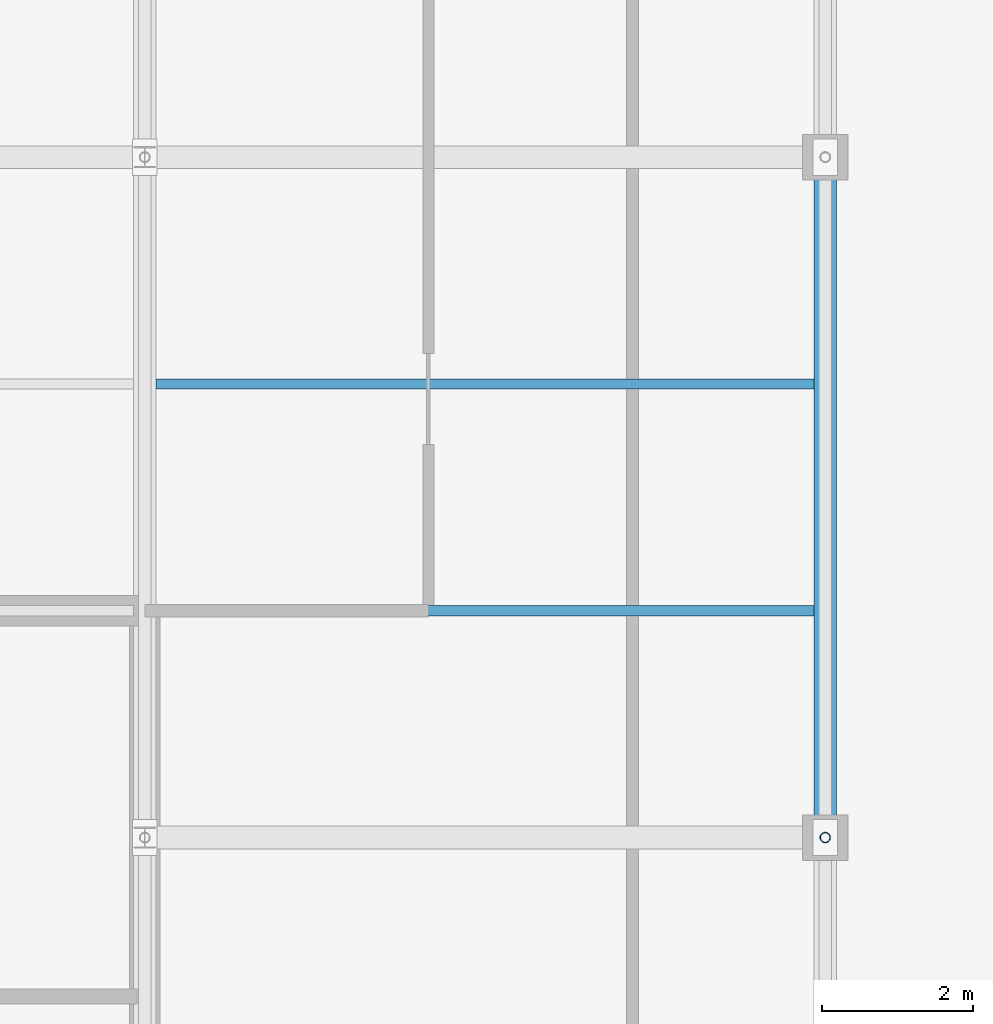
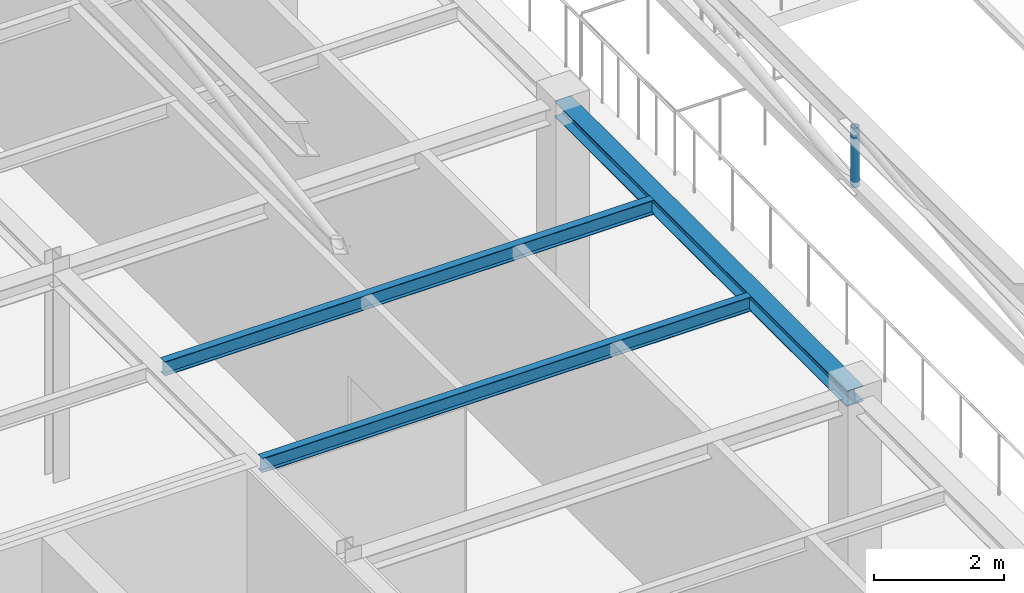
# One storey, part 67 of 130: 3 beams, 1 member.
"""IFC4 building model written with IfcOpenShell, lengths in metres."""

from ifc_helpers import new_model, si_unit, direction, frame, origin, origin_2d, place, context, subcontext, project, spatial, hollow_circle, i_section, extrude, material, material_profile, profile_set, type_object, element, save


model = new_model("IFC4")

# Units and contexts
model_context = context("Model", 3, precision=1e-05, world=origin(), true_north=direction((0.0, 1.0)))
body_context = subcontext(model_context, "Body", "Model", "MODEL_VIEW")
ifc_project = project(units=[si_unit("LENGTHUNIT", "METRE"), si_unit("AREAUNIT", "SQUARE_METRE"), si_unit("VOLUMEUNIT", "CUBIC_METRE"), si_unit("PLANEANGLEUNIT", "RADIAN"), si_unit("MASSUNIT", "GRAM", prefix="KILO")], contexts=[model_context])

# Site, building, storey
site_placement = place(None, origin())
site = spatial("IfcSite", under=ifc_project, at=site_placement, CompositionType="ELEMENT")
building_placement = place(site_placement, origin())
building = spatial("IfcBuilding", under=site, at=building_placement, Name="Lykobir Media Centre", CompositionType="ELEMENT")
storey_placement = place(building_placement, frame((0.0, 0.0, 19.199951171875)))
storey = spatial("IfcBuildingStorey", under=building, at=storey_placement, Name="L04", CompositionType="ELEMENT", Elevation=19.199951171875)

# Beam
ifc_material = material(Name="Steel S355", Category="steel")
ifc_material_profile_1 = material_profile(ifc_material, i_section(OverallWidth=0.300048828125, OverallDepth=0.2900390625, WebThickness=0.008544921875, FlangeThickness=0.013916015625, at=origin_2d()), Name="HEA 300")
ifc_profile_set_1 = profile_set([ifc_material_profile_1], Name="Steel S355")
beam_type_1 = type_object("IfcBeamType", Name="BM-HEA300", PredefinedType="BEAM", material=ifc_profile_set_1)
beam_placement = place(storey_placement, frame((45.0, 81.0, 3.81494140625), z_axis=(0.0, 1.0, 0.0), x_axis=(-1.0, 0.0, 0.0)))
element("IfcBeam", 1, at=beam_placement, inside=storey, type_object=beam_type_1, Name="Beam BM-L04-0450-0810-0450-0900-2302", PredefinedType="BEAM", context=body_context, shape_type="SweptSolid", body=[
    extrude(i_section(OverallWidth=0.300048828125, OverallDepth=0.2900390625, WebThickness=0.008544921875, FlangeThickness=0.013916015625, at=origin_2d()), origin(), (0.0, 0.0, 1.0), 9.0),
])

# Member
ifc_material_profile_2 = material_profile(ifc_material, hollow_circle(Radius=0.06982421875, WallThickness=0.008056640625, at=origin_2d()), Name="CHS 139.7x8.0")
ifc_profile_set_2 = profile_set([ifc_material_profile_2], Name="Steel S355")
member_type = type_object("IfcMemberType", Name="BR-CHS140", PredefinedType="BRACE", material=ifc_profile_set_2)
member_placement = place(storey_placement, frame((45.0, 81.0, 8.900146484375), z_axis=(0.0, 0.0, -1.0), x_axis=(1.0, 0.0, 0.0)))
element("IfcMember", 2, at=member_placement, inside=storey, type_object=member_type, Name="Diagonal brace MEM2-L04-0450-0810-0281-0450-0810-0450", PredefinedType="BRACE", context=body_context, shape_type="SweptSolid", body=[
    extrude(hollow_circle(Radius=0.06982421875, WallThickness=0.008056640625, at=origin_2d()), origin(), (0.0, 0.0, 1.0), 1.1201171875),
])

# Beams
ifc_material_profile_3 = material_profile(ifc_material, i_section(OverallWidth=0.135009765625, OverallDepth=0.27001953125, WebThickness=0.006591796875, FlangeThickness=0.01025390625, at=origin_2d()), Name="IPE 270")
ifc_profile_set_3 = profile_set([ifc_material_profile_3], Name="Steel S355")
beam_type_2 = type_object("IfcBeamType", Name="JS-IPE270", PredefinedType="JOIST", material=ifc_profile_set_3)
for number, where, z_axis, x_axis, name in (
    (3, (36.14990234375, 84.0, 3.824951171875), (1.0, 0.0, 0.0), (0.0, 1.0, 0.0), "Beam BM-L04-0362-0840-0448-0840-2302"),
    (4, (36.14990234375, 87.0, 3.824951171875), (1.0, 0.0, 0.0), (0.0, 1.0, 0.0), "Beam BM-L04-0362-0870-0448-0870-2302"),
):
    element("IfcBeam", number, at=place(storey_placement, frame(where, z_axis=z_axis, x_axis=x_axis)), inside=storey, type_object=beam_type_2, Name=name, PredefinedType="JOIST", context=body_context, shape_type="SweptSolid", body=[
        extrude(i_section(OverallWidth=0.135009765625, OverallDepth=0.27001953125, WebThickness=0.006591796875, FlangeThickness=0.01025390625, at=origin_2d()), origin(), (0.0, 0.0, 1.0), 8.7001953125),
    ])

save(model, "model.ifc")
